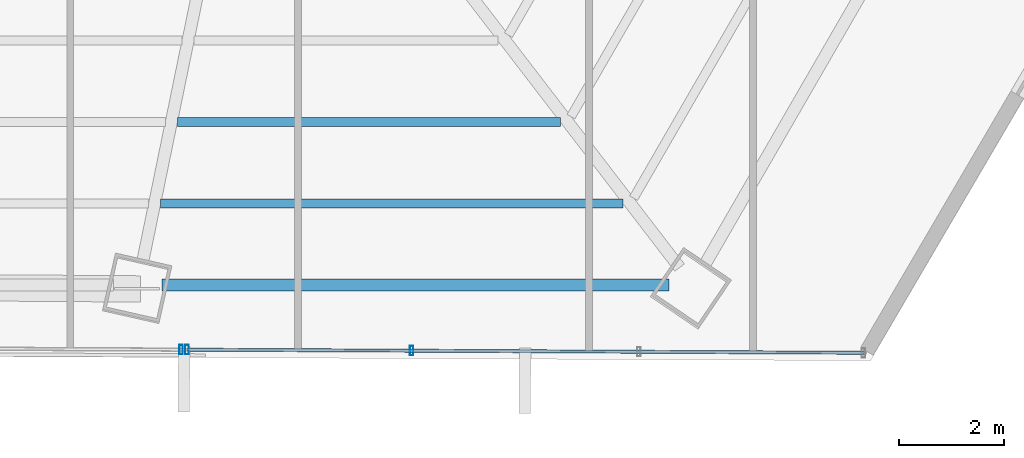
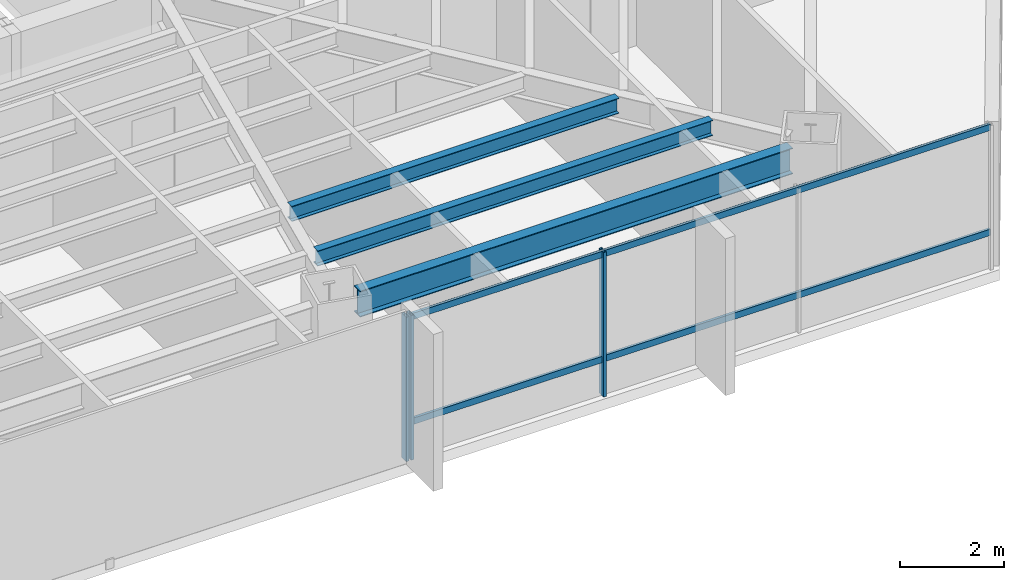
# One storey, part 15 of 36: 5 members, 3 beams, 2 elements without a shape of their own.
"""IFC4 building model written with IfcOpenShell, lengths in metres."""

from ifc_helpers import new_model, si_unit, direction, frame, origin, origin_2d, place, context, subcontext, project, spatial, hollow_rectangle, i_section, extrude, source, transform, mapped, material, material_profile, profile_set, type_object, type_shapes, element, aggregate, save


model = new_model("IFC4")

# Units and contexts
model_context = context("Model", 3, precision=1e-05, world=origin(), true_north=direction((0.0, 1.0)))
body_context = subcontext(model_context, "Body", "Model", "MODEL_VIEW")
ifc_project = project(units=[si_unit("LENGTHUNIT", "METRE"), si_unit("AREAUNIT", "SQUARE_METRE"), si_unit("VOLUMEUNIT", "CUBIC_METRE"), si_unit("PLANEANGLEUNIT", "RADIAN"), si_unit("MASSUNIT", "GRAM", prefix="KILO")], contexts=[model_context])

# Site, building, storey
site_placement = place(None, origin())
site = spatial("IfcSite", under=ifc_project, at=site_placement, CompositionType="ELEMENT")
building_placement = place(site_placement, origin())
building = spatial("IfcBuilding", under=site, at=building_placement, Name="Caelisora Broadcast Tower", CompositionType="ELEMENT")
storey_placement = place(building_placement, frame((0.0, 0.0, 112.699951171875)))
storey = spatial("IfcBuildingStorey", under=building, at=storey_placement, Name="L29", CompositionType="ELEMENT", Elevation=112.699951171875)

# Beams
ifc_material_1 = material(Name="Steel Grade 350 (AS/NZS 3679.1)", Category="steel")
ifc_material_profile_1 = material_profile(ifc_material_1, i_section(OverallWidth=0.22900390625, OverallDepth=0.611572265625, WebThickness=0.011962890625, FlangeThickness=0.01953125, at=origin_2d()), Name="Steel Grade 350 (AS/NZS 3679.1)")
ifc_profile_set_1 = profile_set([ifc_material_profile_1], Name="Steel Grade 350 (AS/NZS 3679.1)")
beam_type_1 = type_object("IfcBeamType", Name="PG03", PredefinedType="BEAM", material=ifc_profile_set_1)
shared_shape_1 = source(origin(), body_context, "Body", "SweptSolid", [
    extrude(i_section(OverallWidth=0.22900390625, OverallDepth=0.611572265625, WebThickness=0.011962890625, FlangeThickness=0.01953125, at=origin_2d()), origin(), (0.0, 0.0, 1.0), 9.6318359375),
])
type_shapes(beam_type_1, [shared_shape_1])
beam_1_placement = place(storey_placement, frame((43.73583984375, 6.557861328125, 3.09423828125), z_axis=(1.0, 0.0, 0.0), x_axis=(0.0, 1.0, 0.0)))
element("IfcBeam", 1, at=beam_1_placement, inside=storey, type_object=beam_type_1, Name="L29 beam PG03", PredefinedType="BEAM", context=body_context, shape_type="MappedRepresentation", body=[
    mapped(shared_shape_1, transform((0.0, 0.0, 0.0), scale=1.0)),
])
ifc_material_profile_2 = material_profile(ifc_material_1, i_section(OverallWidth=0.172119140625, OverallDepth=0.358642578125, WebThickness=0.008056640625, FlangeThickness=0.012939453125, at=origin_2d()), Name="Steel Grade 350 (AS/NZS 3679.1)")
ifc_profile_set_2 = profile_set([ifc_material_profile_2], Name="Steel Grade 350 (AS/NZS 3679.1)")
beam_type_2 = type_object("IfcBeamType", Name="SB02", PredefinedType="JOIST", material=ifc_profile_set_2)
shared_shape_2 = source(origin(), body_context, "Body", "SweptSolid", [
    extrude(i_section(OverallWidth=0.172119140625, OverallDepth=0.358642578125, WebThickness=0.008056640625, FlangeThickness=0.012939453125, at=origin_2d()), origin(), (0.0, 0.0, 1.0), 7.28271484375),
])
beam_2_placement = place(storey_placement, frame((44.02490234375, 9.655517578125, 3.220703125), z_axis=(1.0, 0.0, 0.0), x_axis=(0.0, 1.0, 0.0)))
element("IfcBeam", 2, at=beam_2_placement, inside=storey, type_object=beam_type_2, Name="L29 beam SB02", PredefinedType="JOIST", context=body_context, shape_type="MappedRepresentation", body=[
    mapped(shared_shape_2, transform((0.0, 0.0, 0.0), scale=1.0)),
])
shared_shape_3 = source(origin(), body_context, "Body", "SweptSolid", [
    extrude(i_section(OverallWidth=0.172119140625, OverallDepth=0.358642578125, WebThickness=0.008056640625, FlangeThickness=0.012939453125, at=origin_2d()), origin(), (0.0, 0.0, 1.0), 8.790283203125),
])
type_shapes(beam_type_2, [shared_shape_2, shared_shape_3])
beam_3_placement = place(storey_placement, frame((43.70703125, 8.106689453125, 3.220703125), z_axis=(1.0, 0.0, 0.0), x_axis=(0.0, 1.0, 0.0)))
element("IfcBeam", 3, at=beam_3_placement, inside=storey, type_object=beam_type_2, Name="L29 beam SB02", PredefinedType="JOIST", context=body_context, shape_type="MappedRepresentation", body=[
    mapped(shared_shape_3, transform((0.0, 0.0, 0.0), scale=1.0)),
])

# Curtain wall, members
ifc_material_2 = material(Name="Unitised Aluminium and Low-E Glass Curtain Wall", Category="glass")
curtain_wall_type_1 = type_object("IfcCurtainWallType", Name="CW-Z2", PredefinedType="NOTDEFINED", material=ifc_material_2)
curtain_wall_1_placement = place(storey_placement, origin())
curtain_wall_1 = element("IfcCurtainWall", 4, at=curtain_wall_1_placement, inside=storey, type_object=curtain_wall_type_1, Name="L29 curtain wall CW-Z2", PredefinedType="NOTDEFINED")
ifc_material_3 = material(Name="Aluminium 6063-T6 Anodised Terracotta Bronze", Category="aluminium")
ifc_material_profile_3 = material_profile(ifc_material_3, hollow_rectangle(XDim=0.06494140625, YDim=0.179931640625, WallThickness=0.00341796875, at=origin_2d()), Name="Aluminium 6063-T6 Anodised Terracotta Bronze")
ifc_profile_set_3 = profile_set([ifc_material_profile_3], Name="Aluminium 6063-T6 Anodised Terracotta Bronze")
member_type_1 = type_object("IfcMemberType", Name="CWM-02", PredefinedType="MULLION", material=ifc_profile_set_3)
shared_shape_4 = source(origin(), body_context, "Body", "SweptSolid", [
    extrude(hollow_rectangle(XDim=0.06494140625, YDim=0.179931640625, WallThickness=0.00341796875, at=origin_2d()), origin(), (0.0, 0.0, 1.0), 3.400146484375),
])
type_shapes(member_type_1, [shared_shape_4])
member_1_placement = place(storey_placement, frame((48.478515625, 5.31103515625, 0.0), z_axis=(0.0, 0.0, 1.0), x_axis=(1.0, 0.0, 0.0)))
member_1 = element("IfcMember", 5, at=member_1_placement, type_object=member_type_1, Name="L29-CW-B05 mullion #2", PredefinedType="MULLION", context=body_context, shape_type="MappedRepresentation", body=[
    mapped(shared_shape_4, transform((0.0, 0.0, 0.0), scale=1.0)),
])
member_2_placement = place(storey_placement, frame((44.209228515625, 5.330810546875, 0.0), z_axis=(0.0, 0.0, 1.0), x_axis=(1.0, 0.0, 0.0)))
member_2 = element("IfcMember", 6, at=member_2_placement, type_object=member_type_1, Name="L29-CW-B05 mullion #3", PredefinedType="MULLION", context=body_context, shape_type="MappedRepresentation", body=[
    mapped(shared_shape_4, transform((0.0, 0.0, 0.0), scale=1.0)),
])

# Curtain wall, member
ifc_material_4 = material(Name="Unitised Aluminium Insulated Shadow-Box Spandrel Curtain Wall", Category="aluminium")
curtain_wall_type_2 = type_object("IfcCurtainWallType", Name="CW-SP1", PredefinedType="NOTDEFINED", material=ifc_material_4)
curtain_wall_2_placement = place(storey_placement, origin())
curtain_wall_2 = element("IfcCurtainWall", 7, at=curtain_wall_2_placement, inside=storey, type_object=curtain_wall_type_2, Name="L29 curtain wall CW-SP1", PredefinedType="NOTDEFINED")
member_3_placement = place(storey_placement, frame((44.09912109375, 5.331298828125, 0.0), z_axis=(0.0, 0.0, 1.0), x_axis=(1.0, 0.0, 0.0)))
member_3 = element("IfcMember", 8, at=member_3_placement, type_object=member_type_1, Name="L29-CW-B06 mullion #0", PredefinedType="MULLION", context=body_context, shape_type="MappedRepresentation", body=[
    mapped(shared_shape_4, transform((0.0, 0.0, 0.0), scale=1.0)),
])
aggregate(curtain_wall_2, [member_3])

# Member
ifc_material_profile_4 = material_profile(ifc_material_3, hollow_rectangle(XDim=0.06005859375, YDim=0.14990234375, WallThickness=0.00341796875, at=origin_2d()), Name="Aluminium 6063-T6 Anodised Terracotta Bronze")
ifc_profile_set_4 = profile_set([ifc_material_profile_4], Name="Aluminium 6063-T6 Anodised Terracotta Bronze")
member_type_2 = type_object("IfcMemberType", Name="CWT-02", PredefinedType="USERDEFINED", material=ifc_profile_set_4)
shared_shape_5 = source(origin(), body_context, "Body", "SweptSolid", [
    extrude(hollow_rectangle(XDim=0.06005859375, YDim=0.14990234375, WallThickness=0.00341796875, at=origin_2d()), origin(), (0.0, 0.0, 1.0), 12.85791015625),
])
type_shapes(member_type_2, [shared_shape_5])
member_4_placement = place(storey_placement, frame((57.06689453125, 5.271240234375, 0.85009765625), z_axis=(-0.99998926756, 0.004633008284, 0.0), x_axis=(-0.004633008284, -0.99998926756, 0.0)))
member_4 = element("IfcMember", 9, at=member_4_placement, type_object=member_type_2, Name="L29-CW-B05 transom #1", ObjectType="TRANSOM", PredefinedType="USERDEFINED", context=body_context, shape_type="MappedRepresentation", body=[
    mapped(shared_shape_5, transform((0.0, 0.0, 0.0), scale=1.0)),
])

member_5_placement = place(storey_placement, frame((57.06689453125, 5.271240234375, 3.320068359375), z_axis=(-0.99998926756, 0.004633008284, 0.0), x_axis=(-0.004633008284, -0.99998926756, 0.0)))
member_5 = element("IfcMember", 10, at=member_5_placement, type_object=member_type_2, Name="L29-CW-B05 transom #2", ObjectType="TRANSOM", PredefinedType="USERDEFINED", context=body_context, shape_type="MappedRepresentation", body=[
    mapped(shared_shape_5, transform((0.0, 0.0, 0.0), scale=1.0)),
])

aggregate(curtain_wall_1, [member_1, member_2, member_4, member_5])

save(model, "model.ifc")
